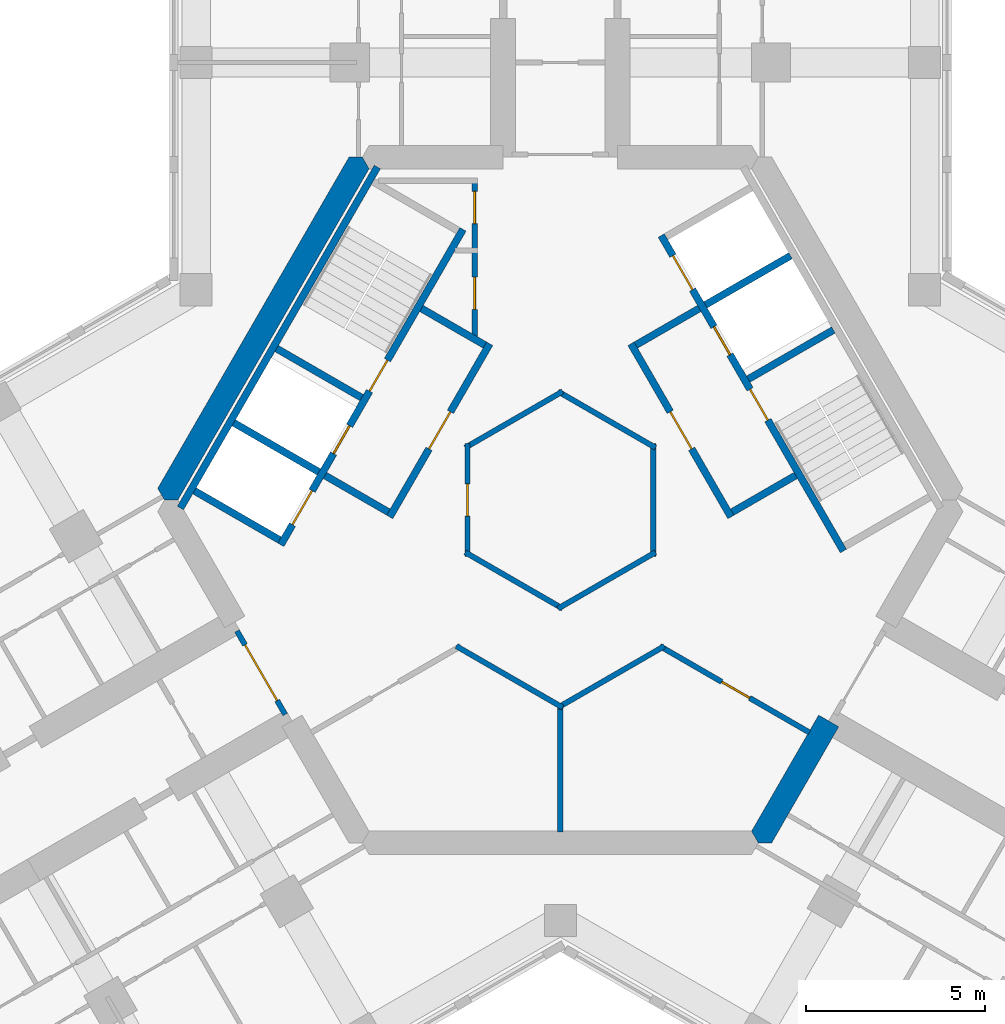
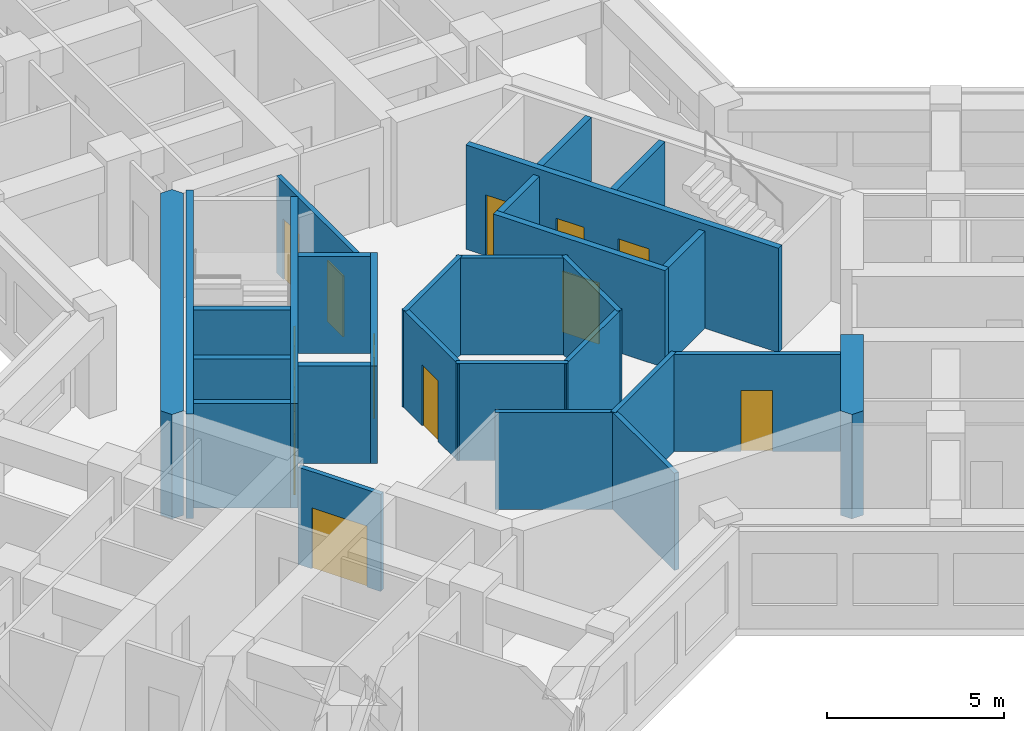
# One storey, part 10 of 17: 28 walls, 13 doors, 13 openings.
"""IFC4 building model written with IfcOpenShell, lengths in metres."""

from ifc_helpers import new_model, si_unit, direction, frame, frame_2d, origin, place, context, subcontext, project, spatial, polyline, rectangle, outline, extrude, material, layer, layer_set, type_object, element, fill, save


model = new_model("IFC4")

# Units and contexts
model_context = context("Model", 3, precision=1e-05, world=origin(), true_north=direction((0.0, 1.0)))
body_context = subcontext(model_context, "Body", "Model", "MODEL_VIEW")
ifc_project = project(units=[si_unit("LENGTHUNIT", "METRE"), si_unit("AREAUNIT", "SQUARE_METRE"), si_unit("VOLUMEUNIT", "CUBIC_METRE"), si_unit("PLANEANGLEUNIT", "RADIAN"), si_unit("MASSUNIT", "GRAM", prefix="KILO")], contexts=[model_context])

# Site, building, storey
site_placement = place(None, origin())
site = spatial("IfcSite", under=ifc_project, at=site_placement, CompositionType="ELEMENT")
building_placement = place(site_placement, origin())
building = spatial("IfcBuilding", under=site, at=building_placement, Name="Kosmar Iwan School Tower", CompositionType="ELEMENT")
storey_placement = place(building_placement, frame((0.0, 0.0, 193.800048828125)))
storey = spatial("IfcBuildingStorey", under=building, at=storey_placement, Name="L48", CompositionType="ELEMENT", Elevation=193.800048828125)

# Wall, openings, doors
ifc_material_1 = material(Name="Gypsum board on steel studs, fire-rated", Category="steel")
ifc_layer_1 = layer(ifc_material_1, 0.14990234375)
ifc_layer_set_1 = layer_set([ifc_layer_1], Name="Core room partition 150")
wall_type_1 = type_object("IfcWallType", Name="Core room partition 150", PredefinedType="PARTITIONING", material=ifc_layer_set_1)
wall_1_placement = place(storey_placement, frame((-2.39990234375, 9.014892578125, 0.0), z_axis=(0.0, 0.0, 1.0), x_axis=(0.0, -1.0, 0.0)))
wall_1 = element("IfcWall", 1, at=wall_1_placement, inside=storey, type_object=wall_type_1, Name="Core room partition L48-CW1", PredefinedType="PARTITIONING", context=body_context, shape_type="SweptSolid", body=[
    extrude(rectangle(XDim=4.484130859375, YDim=0.14990234375, at=frame_2d((2.2421875, 0.0))), origin(), (0.0, 0.0, 1.0), 3.349853515625),
])
opening_1_placement = place(wall_1_placement, frame((0.375, 0.0, 0.0)))
opening_1 = element("IfcOpeningElement", 2, at=opening_1_placement, cuts=wall_1, Name="Opening D14", PredefinedType="OPENING", context=body_context, shape_type="SweptSolid", body=[
    extrude(rectangle(XDim=0.89990234375, YDim=2.10009765625, at=frame_2d((0.449951171875, 1.050048828125))), frame((0.0, 0.0869140625, 0.0), z_axis=(0.0, -1.0, 0.0), x_axis=(1.0, 0.0, 0.0)), (0.0, 0.0, 1.0), 0.173828125),
])
opening_2_placement = place(wall_1_placement, frame((2.77490234375, 0.0, 0.0)))
opening_2 = element("IfcOpeningElement", 3, at=opening_2_placement, cuts=wall_1, Name="Opening D14", PredefinedType="OPENING", context=body_context, shape_type="SweptSolid", body=[
    extrude(rectangle(XDim=0.89990234375, YDim=2.10009765625, at=frame_2d((0.449951171875, 1.050048828125))), frame((0.0, 0.0869140625, 0.0), z_axis=(0.0, -1.0, 0.0), x_axis=(1.0, 0.0, 0.0)), (0.0, 0.0, 1.0), 0.173828125),
])
ifc_material_2 = material(Name="Timber fire door in steel frame", Category="steel")
door_type_1 = type_object("IfcDoorType", Name="Core room door 900x2100", OperationType="SINGLE_SWING_LEFT", PredefinedType="DOOR", material=ifc_material_2)
door_1_placement = place(opening_1_placement, origin())
door_1 = element("IfcDoor", 4, at=door_1_placement, inside=storey, type_object=door_type_1, Name="Electrical riser and switch room door L48 1", OperationType="SINGLE_SWING_LEFT", OverallHeight=2.10009765625, OverallWidth=0.89990234375, PredefinedType="DOOR", context=body_context, shape_type="SweptSolid", body=[
    extrude(rectangle(XDim=0.89990234375, YDim=2.10009765625, at=frame_2d((0.449951171875, 1.050048828125))), frame((0.0, 0.02490234375, 0.0), z_axis=(0.0, -1.0, 0.0), x_axis=(1.0, 0.0, 0.0)), (0.0, 0.0, 1.0), 0.050048828125),
])
fill(opening_1, door_1)
door_2_placement = place(opening_2_placement, origin())
door_2 = element("IfcDoor", 5, at=door_2_placement, inside=storey, type_object=door_type_1, Name="Plumbing and wet riser door L48 2", OperationType="SINGLE_SWING_RIGHT", OverallHeight=2.10009765625, OverallWidth=0.89990234375, PredefinedType="DOOR", context=body_context, shape_type="SweptSolid", body=[
    extrude(rectangle(XDim=0.89990234375, YDim=2.10009765625, at=frame_2d((0.449951171875, 1.050048828125))), frame((0.0, 0.02490234375, 0.0), z_axis=(0.0, -1.0, 0.0), x_axis=(1.0, 0.0, 0.0)), (0.0, 0.0, 1.0), 0.050048828125),
])
fill(opening_2, door_2)

# Walls
wall_2_placement = place(storey_placement, frame((-2.9150390625, -4.090576171875, 0.0), z_axis=(0.0, 0.0, 1.0), x_axis=(0.86602962462, -0.499992689227, 0.0)))
element("IfcWall", 6, at=wall_2_placement, inside=storey, type_object=wall_type_1, Name="Core room partition L48-CW6", PredefinedType="PARTITIONING", context=body_context, shape_type="SweptSolid", body=[
    extrude(rectangle(XDim=3.44091796875, YDim=0.14990234375, at=frame_2d((1.720458984375, 0.0))), origin(), (0.0, 0.0, 1.0), 3.349853515625),
])
wall_3_placement = place(storey_placement, frame((0.0, -5.698486328125, 0.0), z_axis=(0.0, 0.0, 1.0), x_axis=(0.0, -1.0, 0.0)))
element("IfcWall", 7, at=wall_3_placement, inside=storey, type_object=wall_type_1, Name="Core room partition L48-CW7", PredefinedType="PARTITIONING", context=body_context, shape_type="SweptSolid", body=[
    extrude(rectangle(XDim=3.596435546875, YDim=0.14990234375, at=frame_2d((1.79833984375, 0.0))), origin(), (0.0, 0.0, 1.0), 3.349853515625),
])
wall_4_placement = place(storey_placement, frame((-0.06494140625, -5.81103515625, 0.0), z_axis=(0.0, 0.0, 1.0), x_axis=(0.86602962462, 0.499992689227, 0.0)))
element("IfcWall", 8, at=wall_4_placement, inside=storey, type_object=wall_type_1, Name="Core room partition L48-CW8", PredefinedType="PARTITIONING", context=body_context, shape_type="SweptSolid", body=[
    extrude(rectangle(XDim=3.44091796875, YDim=0.14990234375, at=frame_2d((1.720458984375, 0.0))), origin(), (0.0, 0.0, 1.0), 3.349853515625),
])

# Wall, opening, door
wall_5_placement = place(storey_placement, frame((2.78515625, -4.090576171875, 0.0), z_axis=(0.0, 0.0, 1.0), x_axis=(0.866010775586, -0.500025335927, 0.0)))
wall_5 = element("IfcWall", 9, at=wall_5_placement, inside=storey, type_object=wall_type_1, Name="Core room partition L48-CW9", PredefinedType="PARTITIONING", context=body_context, shape_type="SweptSolid", body=[
    extrude(rectangle(XDim=4.837646484375, YDim=0.14990234375, at=frame_2d((2.4189453125, 0.0))), origin(), (0.0, 0.0, 1.0), 3.349853515625),
])
opening_3_placement = place(wall_5_placement, frame((2.00390625, 0.0, 0.0)))
opening_3 = element("IfcOpeningElement", 10, at=opening_3_placement, cuts=wall_5, Name="Opening D14", PredefinedType="OPENING", context=body_context, shape_type="SweptSolid", body=[
    extrude(rectangle(XDim=0.89990234375, YDim=2.10009765625, at=frame_2d((0.449951171875, 1.050048828125))), frame((0.0, 0.0869140625, 0.0), z_axis=(0.0, -1.0, 0.0), x_axis=(1.0, 0.0, 0.0)), (0.0, 0.0, 1.0), 0.173828125),
])
door_3_placement = place(opening_3_placement, origin())
door_3 = element("IfcDoor", 11, at=door_3_placement, inside=storey, type_object=door_type_1, Name="Refuse and recycling room door L48 4", OperationType="SINGLE_SWING_RIGHT", OverallHeight=2.10009765625, OverallWidth=0.89990234375, PredefinedType="DOOR", context=body_context, shape_type="SweptSolid", body=[
    extrude(rectangle(XDim=0.89990234375, YDim=2.10009765625, at=frame_2d((0.449951171875, 1.050048828125))), frame((0.0, 0.02490234375, 0.0), z_axis=(0.0, -1.0, 0.0), x_axis=(1.0, 0.0, 0.0)), (0.0, 0.0, 1.0), 0.050048828125),
])
fill(opening_3, door_3)

# Walls
for number, where, z_axis, x_axis, name in (
    (12, (2.6650390625, -1.463623046875, 0.0), (0.0, 0.0, 1.0), (-0.866023080072, -0.500004024767, 0.0), "Core room partition L48-CW10"),
    (13, (0.06494140625, -3.039794921875, 0.0), (0.0, 0.0, 1.0), (-0.866023080072, 0.500004024767, 0.0), "Core room partition L48-CW11"),
):
    element("IfcWall", number, at=place(storey_placement, frame(where, z_axis=z_axis, x_axis=x_axis)), inside=storey, type_object=wall_type_1, Name=name, PredefinedType="PARTITIONING", context=body_context, shape_type="SweptSolid", body=[
        extrude(rectangle(XDim=3.15234375, YDim=0.14990234375, at=frame_2d((1.576171875, 0.0))), origin(), (0.0, 0.0, 1.0), 3.349853515625),
    ])

# Wall, opening, door
wall_6_placement = place(storey_placement, frame((-2.60009765625, -1.576171875, 0.0), z_axis=(0.0, 0.0, 1.0), x_axis=(0.0, 1.0, 0.0)))
wall_6 = element("IfcWall", 14, at=wall_6_placement, inside=storey, type_object=wall_type_1, Name="Core room partition L48-CW12", PredefinedType="PARTITIONING", context=body_context, shape_type="SweptSolid", body=[
    extrude(rectangle(XDim=3.15234375, YDim=0.14990234375, at=frame_2d((1.576171875, 0.0))), origin(), (0.0, 0.0, 1.0), 3.349853515625),
])
opening_4_placement = place(wall_6_placement, frame((1.1259765625, 0.0, 0.0)))
opening_4 = element("IfcOpeningElement", 15, at=opening_4_placement, cuts=wall_6, Name="Opening D14", PredefinedType="OPENING", context=body_context, shape_type="SweptSolid", body=[
    extrude(rectangle(XDim=0.89990234375, YDim=2.10009765625, at=frame_2d((0.449951171875, 1.050048828125))), frame((0.0, 0.0869140625, 0.0), z_axis=(0.0, -1.0, 0.0), x_axis=(1.0, 0.0, 0.0)), (0.0, 0.0, 1.0), 0.173828125),
])
door_4_placement = place(opening_4_placement, origin())
door_4 = element("IfcDoor", 16, at=door_4_placement, inside=storey, type_object=door_type_1, Name="Pram and buggy store door L48 5", OperationType="SINGLE_SWING_RIGHT", OverallHeight=2.10009765625, OverallWidth=0.89990234375, PredefinedType="DOOR", context=body_context, shape_type="SweptSolid", body=[
    extrude(rectangle(XDim=0.89990234375, YDim=2.10009765625, at=frame_2d((0.449951171875, 1.050048828125))), frame((0.0, 0.02490234375, 0.0), z_axis=(0.0, -1.0, 0.0), x_axis=(1.0, 0.0, 0.0)), (0.0, 0.0, 1.0), 0.050048828125),
])
fill(opening_4, door_4)

# Walls
for number, where, z_axis, x_axis, name in (
    (17, (-2.6650390625, 1.463623046875, 0.0), (0.0, 0.0, 1.0), (0.866023080072, 0.500004024767, 0.0), "Core room partition L48-CW13"),
    (18, (-0.06494140625, 3.039794921875, 0.0), (0.0, 0.0, 1.0), (0.866023080072, -0.500004024767, 0.0), "Core room partition L48-CW14"),
    (19, (2.60009765625, 1.576171875, 0.0), (0.0, 0.0, 1.0), (0.0, -1.0, 0.0), "Core room partition L48-CW15"),
):
    element("IfcWall", number, at=place(storey_placement, frame(where, z_axis=z_axis, x_axis=x_axis)), inside=storey, type_object=wall_type_1, Name=name, PredefinedType="PARTITIONING", context=body_context, shape_type="SweptSolid", body=[
        extrude(rectangle(XDim=3.15234375, YDim=0.14990234375, at=frame_2d((1.576171875, 0.0))), origin(), (0.0, 0.0, 1.0), 3.349853515625),
    ])
ifc_material_3 = material(Name="Concrete C50/60", Category="concrete")
ifc_layer_2 = layer(ifc_material_3, 0.64990234375)
ifc_layer_set_2 = layer_set([ifc_layer_2], Name="Core wall 650")
wall_type_2 = type_object("IfcWallType", Name="Core wall 650", PredefinedType="SHEAR", material=ifc_layer_set_2)
wall_7_placement = place(storey_placement, origin())
element("IfcWall", 20, at=wall_7_placement, inside=storey, type_object=wall_type_2, Name="Core wall F150", PredefinedType="SHEAR", context=body_context, shape_type="SweptSolid", body=[
    extrude(outline(polyline([(-11.085205078125, 0.0), (-10.7099609375, 0.0), (-5.35498046875, 9.27490234375), (-5.54248046875, 9.60009765625), (-5.917724609375, 9.60009765625), (-11.272705078125, 0.324951171875), (-11.085205078125, 0.0)])), origin(), (0.0, 0.0, 1.0), 3.599853515625),
])
wall_8_placement = place(storey_placement, origin())
element("IfcWall", 21, at=wall_8_placement, inside=storey, type_object=wall_type_2, Name="Core wall F330a", PredefinedType="SHEAR", context=body_context, shape_type="SweptSolid", body=[
    extrude(outline(polyline([(5.54248046875, -9.60009765625), (5.917724609375, -9.60009765625), (7.79541015625, -6.34814453125), (7.232421875, -6.023193359375), (5.35498046875, -9.27490234375), (5.54248046875, -9.60009765625)])), origin(), (0.0, 0.0, 1.0), 3.599853515625),
])

# Wall, opening, door
ifc_material_4 = material(Name="Steel framed glazed screen", Category="steel")
ifc_layer_3 = layer(ifc_material_4, 0.14990234375)
ifc_layer_set_3 = layer_set([ifc_layer_3], Name="Corridor screen wall 150")
wall_type_3 = type_object("IfcWallType", Name="Corridor screen wall 150", PredefinedType="PARTITIONING", material=ifc_layer_set_3)
wall_9_placement = place(storey_placement, frame((-9.0537109375, -3.66845703125, 0.0), z_axis=(0.0, 0.0, 1.0), x_axis=(0.499980770555, -0.866036505625, 0.0)))
wall_9 = element("IfcWall", 22, at=wall_9_placement, inside=storey, type_object=wall_type_3, Name="Corridor screen B L48", PredefinedType="PARTITIONING", context=body_context, shape_type="SweptSolid", body=[
    extrude(rectangle(XDim=2.69970703125, YDim=0.14990234375, at=frame_2d((1.349853515625, 0.0))), origin(), (0.0, 0.0, 1.0), 3.349853515625),
])
opening_5_placement = place(wall_9_placement, frame((0.449951171875, 0.0, 0.0)))
opening_5 = element("IfcOpeningElement", 23, at=opening_5_placement, cuts=wall_9, Name="Opening D9", PredefinedType="OPENING", context=body_context, shape_type="SweptSolid", body=[
    extrude(rectangle(XDim=1.800048828125, YDim=2.10009765625, at=frame_2d((0.89990234375, 1.050048828125))), frame((0.0, 0.0869140625, 0.0), z_axis=(0.0, -1.0, 0.0), x_axis=(1.0, 0.0, 0.0)), (0.0, 0.0, 1.0), 0.173828125),
])
ifc_material_5 = material(Name="Steel framed glazed smoke door", Category="steel")
door_type_2 = type_object("IfcDoorType", Name="Corridor smoke door pair 1800x2100", OperationType="DOUBLE_DOOR_DOUBLE_SWING", PredefinedType="DOOR", material=ifc_material_5)
door_5_placement = place(opening_5_placement, origin())
door_5 = element("IfcDoor", 24, at=door_5_placement, inside=storey, type_object=door_type_2, Name="Corridor doors B L48", OperationType="DOUBLE_DOOR_DOUBLE_SWING", OverallHeight=2.10009765625, OverallWidth=1.800048828125, PredefinedType="DOOR", context=body_context, shape_type="SweptSolid", body=[
    extrude(rectangle(XDim=1.800048828125, YDim=2.10009765625, at=frame_2d((0.89990234375, 1.050048828125))), frame((0.0, 0.02490234375, 0.0), z_axis=(0.0, -1.0, 0.0), x_axis=(1.0, 0.0, 0.0)), (0.0, 0.0, 1.0), 0.050048828125),
])
fill(opening_5, door_5)

ifc_material_6 = material(Name="Concrete block masonry", Category="masonry")
ifc_layer_4 = layer(ifc_material_6, 0.199951171875)
ifc_layer_set_4 = layer_set([ifc_layer_4], Name="Fire lobby wall 200")
wall_type_4 = type_object("IfcWallType", Name="Fire lobby wall 200", PredefinedType="PARTITIONING", material=ifc_layer_set_4)
wall_10_placement = place(storey_placement, frame((-1.9775390625, 4.374755859375, 0.0), z_axis=(0.0, 0.0, 1.0), x_axis=(-0.500016814911, -0.866015695474, 0.0)))
wall_10 = element("IfcWall", 25, at=wall_10_placement, inside=storey, type_object=wall_type_4, Name="Firefighting lobby wall ST2", PredefinedType="PARTITIONING", context=body_context, shape_type="SweptSolid", body=[
    extrude(rectangle(XDim=5.599853515625, YDim=0.199951171875, at=frame_2d((2.7998046875, 0.0))), origin(), (0.0, 0.0, 1.0), 3.349853515625),
])
opening_6_placement = place(wall_10_placement, frame((2.199951171875, 0.0, 0.0)))
opening_6 = element("IfcOpeningElement", 26, at=opening_6_placement, cuts=wall_10, Name="Opening D7", PredefinedType="OPENING", context=body_context, shape_type="SweptSolid", body=[
    extrude(rectangle(XDim=1.199951171875, YDim=2.10009765625, at=frame_2d((0.60009765625, 1.050048828125))), frame((0.0, 0.112060546875, 0.0), z_axis=(0.0, -1.0, 0.0), x_axis=(1.0, 0.0, 0.0)), (0.0, 0.0, 1.0), 0.223876953125),
])
ifc_material_7 = material(Name="Steel fire door", Category="steel")
door_type_3 = type_object("IfcDoorType", Name="Fire lobby door 1200x2100", OperationType="SINGLE_SWING_LEFT", PredefinedType="DOOR", material=ifc_material_7)
door_6_placement = place(opening_6_placement, frame((1.199951171875, 0.0, 0.0), z_axis=(0.0, 0.0, 1.0), x_axis=(-1.0, 0.0, 0.0)))
door_6 = element("IfcDoor", 27, at=door_6_placement, inside=storey, type_object=door_type_3, Name="Firefighting lobby door ST2 L48", OperationType="SINGLE_SWING_LEFT", OverallHeight=2.10009765625, OverallWidth=1.199951171875, PredefinedType="DOOR", context=body_context, shape_type="SweptSolid", body=[
    extrude(rectangle(XDim=1.199951171875, YDim=2.10009765625, at=frame_2d((0.60009765625, 1.050048828125))), frame((0.0, 0.02490234375, 0.0), z_axis=(0.0, -1.0, 0.0), x_axis=(1.0, 0.0, 0.0)), (0.0, 0.0, 1.0), 0.050048828125),
])
fill(opening_6, door_6)

# Walls
wall_11_placement = place(storey_placement, frame((-2.114013671875, 4.33837890625, 0.0), z_axis=(0.0, 0.0, 1.0), x_axis=(-0.866050731258, 0.499956128963, 0.0)))
element("IfcWall", 28, at=wall_11_placement, inside=storey, type_object=wall_type_4, Name="Firefighting lobby wall ST2", PredefinedType="PARTITIONING", context=body_context, shape_type="SweptSolid", body=[
    extrude(rectangle(XDim=2.050048828125, YDim=0.199951171875, at=frame_2d((1.02490234375, 0.0))), origin(), (0.0, 0.0, 1.0), 3.349853515625),
])
wall_12_placement = place(storey_placement, frame((-4.814208984375, -0.33837890625, 0.0), z_axis=(0.0, 0.0, 1.0), x_axis=(-0.865969381856, 0.500097020274, 0.0)))
element("IfcWall", 29, at=wall_12_placement, inside=storey, type_object=wall_type_4, Name="Firefighting lobby wall ST2", PredefinedType="PARTITIONING", context=body_context, shape_type="SweptSolid", body=[
    extrude(rectangle(XDim=2.0498046875, YDim=0.199951171875, at=frame_2d((1.02490234375, 0.0))), origin(), (0.0, 0.0, 1.0), 3.349853515625),
])

# Wall, opening, door
wall_13_placement = place(storey_placement, frame((4.777587890625, -0.474853515625, 0.0), z_axis=(0.0, 0.0, 1.0), x_axis=(-0.500016814911, 0.866015695474, 0.0)))
wall_13 = element("IfcWall", 30, at=wall_13_placement, inside=storey, type_object=wall_type_4, Name="Firefighting lobby wall ST1", PredefinedType="PARTITIONING", context=body_context, shape_type="SweptSolid", body=[
    extrude(rectangle(XDim=5.599853515625, YDim=0.199951171875, at=frame_2d((2.7998046875, 0.0))), origin(), (0.0, 0.0, 1.0), 3.349853515625),
])
opening_7_placement = place(wall_13_placement, frame((2.199951171875, 0.0, 0.0)))
opening_7 = element("IfcOpeningElement", 31, at=opening_7_placement, cuts=wall_13, Name="Opening D7", PredefinedType="OPENING", context=body_context, shape_type="SweptSolid", body=[
    extrude(rectangle(XDim=1.199951171875, YDim=2.10009765625, at=frame_2d((0.60009765625, 1.050048828125))), frame((0.0, 0.112060546875, 0.0), z_axis=(0.0, -1.0, 0.0), x_axis=(1.0, 0.0, 0.0)), (0.0, 0.0, 1.0), 0.223876953125),
])
door_7_placement = place(opening_7_placement, frame((1.199951171875, 0.0, 0.0), z_axis=(0.0, 0.0, 1.0), x_axis=(-1.0, 0.0, 0.0)))
door_7 = element("IfcDoor", 32, at=door_7_placement, inside=storey, type_object=door_type_3, Name="Firefighting lobby door ST1 L48", OperationType="SINGLE_SWING_LEFT", OverallHeight=2.10009765625, OverallWidth=1.199951171875, PredefinedType="DOOR", context=body_context, shape_type="SweptSolid", body=[
    extrude(rectangle(XDim=1.199951171875, YDim=2.10009765625, at=frame_2d((0.60009765625, 1.050048828125))), frame((0.0, 0.02490234375, 0.0), z_axis=(0.0, -1.0, 0.0), x_axis=(1.0, 0.0, 0.0)), (0.0, 0.0, 1.0), 0.050048828125),
])
fill(opening_7, door_7)

# Walls
wall_14_placement = place(storey_placement, frame((4.814208984375, -0.33837890625, 0.0), z_axis=(0.0, 0.0, 1.0), x_axis=(0.865969381856, 0.500097020274, 0.0)))
element("IfcWall", 33, at=wall_14_placement, inside=storey, type_object=wall_type_4, Name="Firefighting lobby wall ST1", PredefinedType="PARTITIONING", context=body_context, shape_type="SweptSolid", body=[
    extrude(rectangle(XDim=2.0498046875, YDim=0.199951171875, at=frame_2d((1.02490234375, 0.0))), origin(), (0.0, 0.0, 1.0), 3.349853515625),
])
wall_15_placement = place(storey_placement, frame((2.114013671875, 4.33837890625, 0.0), z_axis=(0.0, 0.0, 1.0), x_axis=(0.866050731258, 0.499956128963, 0.0)))
element("IfcWall", 34, at=wall_15_placement, inside=storey, type_object=wall_type_4, Name="Firefighting lobby wall ST1", PredefinedType="PARTITIONING", context=body_context, shape_type="SweptSolid", body=[
    extrude(rectangle(XDim=2.050048828125, YDim=0.199951171875, at=frame_2d((1.02490234375, 0.0))), origin(), (0.0, 0.0, 1.0), 3.349853515625),
])

# Wall, openings, doors
ifc_material_8 = material(Name="Concrete C50/60", Category="concrete")
ifc_layer_5 = layer(ifc_material_8, 0.199951171875)
ifc_layer_set_5 = layer_set([ifc_layer_5], Name="Lift shaft wall 200")
wall_type_5 = type_object("IfcWallType", Name="Lift shaft wall 200", PredefinedType="SHEAR", material=ifc_layer_set_5)
wall_16_placement = place(storey_placement, frame((-2.72607421875, 7.578369140625, 0.0), z_axis=(0.0, 0.0, 1.0), x_axis=(-0.500005610874, -0.86602216432, 0.0)))
wall_16 = element("IfcWall", 35, at=wall_16_placement, inside=storey, type_object=wall_type_5, Name="Lift and stair front wall AB", PredefinedType="SHEAR", context=body_context, shape_type="SweptSolid", body=[
    extrude(rectangle(XDim=10.2001953125, YDim=0.199951171875, at=frame_2d((5.10009765625, 0.0))), origin(), (0.0, 0.0, 1.0), 3.599853515625),
])
opening_8_placement = place(wall_16_placement, frame((6.35009765625, 0.0, 0.0)))
opening_8 = element("IfcOpeningElement", 36, at=opening_8_placement, cuts=wall_16, Name="Opening LD2", PredefinedType="OPENING", context=body_context, shape_type="SweptSolid", body=[
    extrude(rectangle(XDim=0.89990234375, YDim=2.10009765625, at=frame_2d((0.449951171875, 1.050048828125))), frame((0.0, 0.112060546875, 0.0), z_axis=(0.0, -1.0, 0.0), x_axis=(1.0, 0.0, 0.0)), (0.0, 0.0, 1.0), 0.223876953125),
])
opening_9_placement = place(wall_16_placement, frame((8.449951171875, 0.0, 0.0)))
opening_9 = element("IfcOpeningElement", 37, at=opening_9_placement, cuts=wall_16, Name="Opening LD1", PredefinedType="OPENING", context=body_context, shape_type="SweptSolid", body=[
    extrude(rectangle(XDim=1.10009765625, YDim=2.10009765625, at=frame_2d((0.550048828125, 1.050048828125))), frame((0.0, 0.112060546875, 0.0), z_axis=(0.0, -1.0, 0.0), x_axis=(1.0, 0.0, 0.0)), (0.0, 0.0, 1.0), 0.223876953125),
])
opening_10_placement = place(wall_16_placement, frame((4.22998046875, 0.0, 0.0)))
opening_10 = element("IfcOpeningElement", 38, at=opening_10_placement, cuts=wall_16, Name="Opening D6", PredefinedType="OPENING", context=body_context, shape_type="SweptSolid", body=[
    extrude(rectangle(XDim=1.0, YDim=2.10009765625, at=frame_2d((0.5, 1.050048828125))), frame((0.0, 0.112060546875, 0.0), z_axis=(0.0, -1.0, 0.0), x_axis=(1.0, 0.0, 0.0)), (0.0, 0.0, 1.0), 0.223876953125),
])
ifc_material_9 = material(Name="Stainless steel sliding lift door", Category="steel")
door_type_4 = type_object("IfcDoorType", Name="Firefighting lift landing door 900x2100", OperationType="SLIDING_TO_LEFT", PredefinedType="DOOR", material=ifc_material_9)
door_8_placement = place(opening_8_placement, origin())
door_8 = element("IfcDoor", 39, at=door_8_placement, inside=storey, type_object=door_type_4, Name="Lift FF2 landing door L48", OperationType="SLIDING_TO_LEFT", OverallHeight=2.10009765625, OverallWidth=0.89990234375, PredefinedType="DOOR", context=body_context, shape_type="SweptSolid", body=[
    extrude(rectangle(XDim=0.89990234375, YDim=2.10009765625, at=frame_2d((0.449951171875, 1.050048828125))), frame((0.0, 0.02490234375, 0.0), z_axis=(0.0, -1.0, 0.0), x_axis=(1.0, 0.0, 0.0)), (0.0, 0.0, 1.0), 0.050048828125),
])
fill(opening_8, door_8)
ifc_material_10 = material(Name="Stainless steel sliding lift door", Category="steel")
door_type_5 = type_object("IfcDoorType", Name="Lift landing door 1100x2100", OperationType="SLIDING_TO_LEFT", PredefinedType="DOOR", material=ifc_material_10)
door_9_placement = place(opening_9_placement, origin())
door_9 = element("IfcDoor", 40, at=door_9_placement, inside=storey, type_object=door_type_5, Name="Lift PL6 landing door L48", OperationType="SLIDING_TO_LEFT", OverallHeight=2.10009765625, OverallWidth=1.10009765625, PredefinedType="DOOR", context=body_context, shape_type="SweptSolid", body=[
    extrude(rectangle(XDim=1.10009765625, YDim=2.10009765625, at=frame_2d((0.550048828125, 1.050048828125))), frame((0.0, 0.02490234375, 0.0), z_axis=(0.0, -1.0, 0.0), x_axis=(1.0, 0.0, 0.0)), (0.0, 0.0, 1.0), 0.050048828125),
])
fill(opening_9, door_9)
ifc_material_11 = material(Name="Steel fire door", Category="steel")
door_type_6 = type_object("IfcDoorType", Name="Stair door 1000x2100", OperationType="SINGLE_SWING_LEFT", PredefinedType="DOOR", material=ifc_material_11)
door_10_placement = place(opening_10_placement, origin())
door_10 = element("IfcDoor", 41, at=door_10_placement, inside=storey, type_object=door_type_6, Name="Stair ST2 door L48", OperationType="SINGLE_SWING_LEFT", OverallHeight=2.10009765625, OverallWidth=1.0, PredefinedType="DOOR", context=body_context, shape_type="SweptSolid", body=[
    extrude(rectangle(XDim=1.0, YDim=2.10009765625, at=frame_2d((0.5, 1.050048828125))), frame((0.0, 0.02490234375, 0.0), z_axis=(0.0, -1.0, 0.0), x_axis=(1.0, 0.0, 0.0)), (0.0, 0.0, 1.0), 0.050048828125),
])
fill(opening_10, door_10)

# Walls
wall_17_placement = place(storey_placement, frame((-5.1240234375, 9.324951171875, 0.0), z_axis=(0.0, 0.0, 1.0), x_axis=(-0.49999650507, -0.866027421574, 0.0)))
element("IfcWall", 42, at=wall_17_placement, inside=storey, type_object=wall_type_5, Name="Lift and stair back wall AB", PredefinedType="SHEAR", context=body_context, shape_type="SweptSolid", body=[
    extrude(rectangle(XDim=11.02734375, YDim=0.199951171875, at=frame_2d((5.513671875, 0.0))), origin(), (0.0, 0.0, 1.0), 3.599853515625),
])
for number, where, z_axis, x_axis, name in (
    (43, (-6.7626953125, 0.78662109375, 0.0), (0.0, 0.0, 1.0), (-0.866027397988, 0.499996545922, 0.0), "Lift shaft wall AB 1"),
    (44, (-7.862548828125, -1.118408203125, 0.0), (0.0, 0.0, 1.0), (-0.866027397988, 0.499996545922, 0.0), "Lift shaft wall AB 2"),
):
    element("IfcWall", number, at=place(storey_placement, frame(where, z_axis=z_axis, x_axis=x_axis)), inside=storey, type_object=wall_type_5, Name=name, PredefinedType="SHEAR", context=body_context, shape_type="SweptSolid", body=[
        extrude(rectangle(XDim=2.75, YDim=0.199951171875, at=frame_2d((1.375, 0.0))), origin(), (0.0, 0.0, 1.0), 3.599853515625),
    ])

# Wall, openings, doors
wall_18_placement = place(storey_placement, frame((7.926025390625, -1.42822265625, 0.0), z_axis=(0.0, 0.0, 1.0), x_axis=(-0.499998023675, 0.866026544813, 0.0)))
wall_18 = element("IfcWall", 45, at=wall_18_placement, inside=storey, type_object=wall_type_5, Name="Lift and stair front wall AC", PredefinedType="SHEAR", context=body_context, shape_type="SweptSolid", body=[
    extrude(rectangle(XDim=10.19970703125, YDim=0.199951171875, at=frame_2d((5.099853515625, 0.0))), origin(), (0.0, 0.0, 1.0), 3.599853515625),
])
opening_11_placement = place(wall_18_placement, frame((6.35009765625, 0.0, 0.0)))
opening_11 = element("IfcOpeningElement", 46, at=opening_11_placement, cuts=wall_18, Name="Opening LD2", PredefinedType="OPENING", context=body_context, shape_type="SweptSolid", body=[
    extrude(rectangle(XDim=0.89990234375, YDim=2.10009765625, at=frame_2d((0.449951171875, 1.050048828125))), frame((0.0, 0.112060546875, 0.0), z_axis=(0.0, -1.0, 0.0), x_axis=(1.0, 0.0, 0.0)), (0.0, 0.0, 1.0), 0.223876953125),
])
opening_12_placement = place(wall_18_placement, frame((8.449951171875, 0.0, 0.0)))
opening_12 = element("IfcOpeningElement", 47, at=opening_12_placement, cuts=wall_18, Name="Opening LD1", PredefinedType="OPENING", context=body_context, shape_type="SweptSolid", body=[
    extrude(rectangle(XDim=1.10009765625, YDim=2.10009765625, at=frame_2d((0.550048828125, 1.050048828125))), frame((0.0, 0.112060546875, 0.0), z_axis=(0.0, -1.0, 0.0), x_axis=(1.0, 0.0, 0.0)), (0.0, 0.0, 1.0), 0.223876953125),
])
opening_13_placement = place(wall_18_placement, frame((4.22998046875, 0.0, 0.0)))
opening_13 = element("IfcOpeningElement", 48, at=opening_13_placement, cuts=wall_18, Name="Opening D6", PredefinedType="OPENING", context=body_context, shape_type="SweptSolid", body=[
    extrude(rectangle(XDim=1.0, YDim=2.10009765625, at=frame_2d((0.5, 1.050048828125))), frame((0.0, 0.112060546875, 0.0), z_axis=(0.0, -1.0, 0.0), x_axis=(1.0, 0.0, 0.0)), (0.0, 0.0, 1.0), 0.223876953125),
])
door_11_placement = place(opening_11_placement, origin())
door_11 = element("IfcDoor", 49, at=door_11_placement, inside=storey, type_object=door_type_4, Name="Lift FF1 landing door L48", OperationType="SLIDING_TO_LEFT", OverallHeight=2.10009765625, OverallWidth=0.89990234375, PredefinedType="DOOR", context=body_context, shape_type="SweptSolid", body=[
    extrude(rectangle(XDim=0.89990234375, YDim=2.10009765625, at=frame_2d((0.449951171875, 1.050048828125))), frame((0.0, 0.02490234375, 0.0), z_axis=(0.0, -1.0, 0.0), x_axis=(1.0, 0.0, 0.0)), (0.0, 0.0, 1.0), 0.050048828125),
])
fill(opening_11, door_11)
door_12_placement = place(opening_12_placement, origin())
door_12 = element("IfcDoor", 50, at=door_12_placement, inside=storey, type_object=door_type_5, Name="Lift PL5 landing door L48", OperationType="SLIDING_TO_LEFT", OverallHeight=2.10009765625, OverallWidth=1.10009765625, PredefinedType="DOOR", context=body_context, shape_type="SweptSolid", body=[
    extrude(rectangle(XDim=1.10009765625, YDim=2.10009765625, at=frame_2d((0.550048828125, 1.050048828125))), frame((0.0, 0.02490234375, 0.0), z_axis=(0.0, -1.0, 0.0), x_axis=(1.0, 0.0, 0.0)), (0.0, 0.0, 1.0), 0.050048828125),
])
fill(opening_12, door_12)
door_13_placement = place(opening_13_placement, origin())
door_13 = element("IfcDoor", 51, at=door_13_placement, inside=storey, type_object=door_type_6, Name="Stair ST1 door L48", OperationType="SINGLE_SWING_LEFT", OverallHeight=2.10009765625, OverallWidth=1.0, PredefinedType="DOOR", context=body_context, shape_type="SweptSolid", body=[
    extrude(rectangle(XDim=1.0, YDim=2.10009765625, at=frame_2d((0.5, 1.050048828125))), frame((0.0, 0.02490234375, 0.0), z_axis=(0.0, -1.0, 0.0), x_axis=(1.0, 0.0, 0.0)), (0.0, 0.0, 1.0), 0.050048828125),
])
fill(opening_13, door_13)

# Walls
wall_19_placement = place(storey_placement, frame((4.062744140625, 5.46337890625, 0.0), z_axis=(0.0, 0.0, 1.0), x_axis=(0.866027397988, 0.499996545922, 0.0)))
element("IfcWall", 52, at=wall_19_placement, inside=storey, type_object=wall_type_5, Name="Lift shaft wall AC 1", PredefinedType="SHEAR", context=body_context, shape_type="SweptSolid", body=[
    extrude(rectangle(XDim=2.75, YDim=0.199951171875, at=frame_2d((1.375, 0.0))), origin(), (0.0, 0.0, 1.0), 3.599853515625),
])
ifc_material_12 = material(Name="Concrete C50/60", Category="concrete")
ifc_layer_6 = layer(ifc_material_12, 0.199951171875)
ifc_layer_set_6 = layer_set([ifc_layer_6], Name="Stair enclosure wall 200")
wall_type_6 = type_object("IfcWallType", Name="Stair enclosure wall 200", PredefinedType="SHEAR", material=ifc_layer_set_6)
for number, where, z_axis, x_axis, name in (
    (53, (-5.562744140625, 2.865234375, 0.0), (0.0, 0.0, 1.0), (-0.866027397988, 0.499996545922, 0.0), "Stair ST2 wall"),
    (54, (5.2626953125, 3.384765625, 0.0), (0.0, 0.0, 1.0), (0.866027397988, 0.499996545922, 0.0), "Stair ST1 wall"),
):
    element("IfcWall", number, at=place(storey_placement, frame(where, z_axis=z_axis, x_axis=x_axis)), inside=storey, type_object=wall_type_6, Name=name, PredefinedType="SHEAR", context=body_context, shape_type="SweptSolid", body=[
        extrude(rectangle(XDim=2.75, YDim=0.199951171875, at=frame_2d((1.375, 0.0))), origin(), (0.0, 0.0, 1.0), 3.599853515625),
    ])

save(model, "model.ifc")
